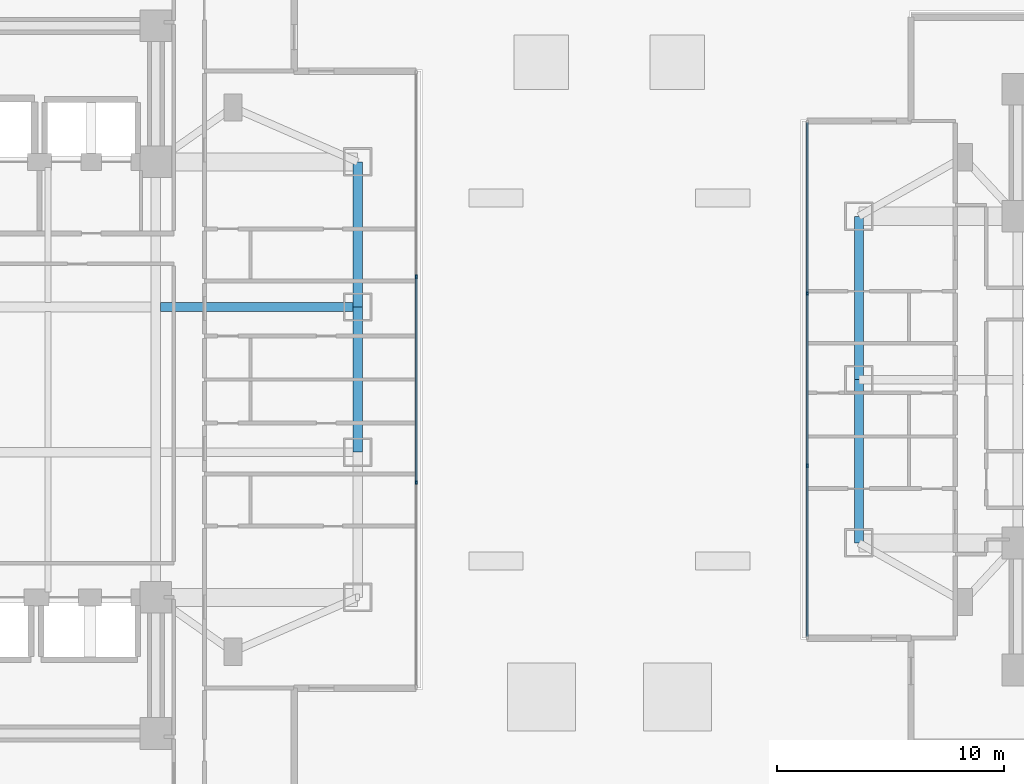
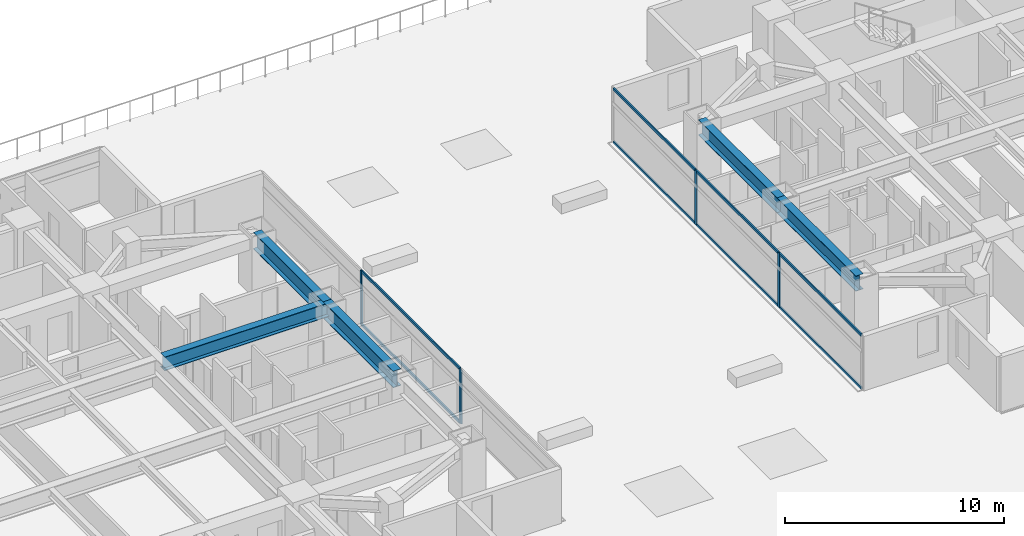
# One storey, part 5 of 26: 12 members, 5 beams, 2 elements without a shape of their own.
"""IFC4 building model written with IfcOpenShell, lengths in metres."""

from ifc_helpers import new_model, si_unit, direction, frame, origin, origin_2d, place, context, subcontext, project, spatial, rectangle, i_section, extrude, material, material_profile, profile_set, type_object, element, aggregate, save


model = new_model("IFC4")

# Units and contexts
model_context = context("Model", 3, precision=1e-05, world=origin(), true_north=direction((0.0, 1.0)))
body_context = subcontext(model_context, "Body", "Model", "MODEL_VIEW")
ifc_project = project(units=[si_unit("LENGTHUNIT", "METRE"), si_unit("AREAUNIT", "SQUARE_METRE"), si_unit("VOLUMEUNIT", "CUBIC_METRE"), si_unit("PLANEANGLEUNIT", "RADIAN"), si_unit("MASSUNIT", "GRAM", prefix="KILO")], contexts=[model_context])

# Site, building, storey
site_placement = place(None, origin())
site = spatial("IfcSite", under=ifc_project, at=site_placement, CompositionType="ELEMENT")
building_placement = place(site_placement, origin())
building = spatial("IfcBuilding", under=site, at=building_placement, Name="Mirazonda Arch Towers", CompositionType="ELEMENT")
storey_placement = place(building_placement, frame((0.0, 0.0, 22.39990234375)))
storey = spatial("IfcBuildingStorey", under=building, at=storey_placement, Name="L05", CompositionType="ELEMENT", Elevation=22.39990234375)

# Beams
ifc_material_1 = material(Name="Steel ASTM A992 Grade 50", Category="steel")
ifc_material_profile_1 = material_profile(ifc_material_1, i_section(OverallWidth=0.39990234375, OverallDepth=0.85595703125, WebThickness=0.018310546875, FlangeThickness=0.029296875, at=origin_2d()), Name="W33X201")
ifc_profile_set_1 = profile_set([ifc_material_profile_1], Name="Steel ASTM A992 Grade 50")
beam_type_1 = type_object("IfcBeamType", Name="BM-EXT-W33X201", PredefinedType="USERDEFINED", material=ifc_profile_set_1)
for number, where, z_axis, x_axis, name in (
    (1, (61.0, 20.800048828125, 2.632080078125), (0.0, 1.0, 0.0), (-1.0, 0.0, 0.0), "L05 Floor Beam BM-T2-L05-NS-W-20"),
    (2, (61.0, 28.0, 2.632080078125), (0.0, 1.0, 0.0), (-1.0, 0.0, 0.0), "L05 Floor Beam BM-T2-L05-NS-W-28"),
):
    element("IfcBeam", number, at=place(storey_placement, frame(where, z_axis=z_axis, x_axis=x_axis)), inside=storey, type_object=beam_type_1, Name=name, ObjectType="GIRDER", PredefinedType="USERDEFINED", context=body_context, shape_type="SweptSolid", body=[
        extrude(i_section(OverallWidth=0.39990234375, OverallDepth=0.85595703125, WebThickness=0.018310546875, FlangeThickness=0.029296875, at=origin_2d()), origin(), (0.0, 0.0, 1.0), 7.199951171875),
    ])
ifc_material_profile_2 = material_profile(ifc_material_1, i_section(OverallWidth=0.41796875, OverallDepth=0.927001953125, WebThickness=0.019287109375, FlangeThickness=0.031982421875, at=origin_2d()), Name="W36X231")
ifc_profile_set_2 = profile_set([ifc_material_profile_2], Name="Steel ASTM A992 Grade 50")
beam_type_2 = type_object("IfcBeamType", Name="BM-EXT-W36X231", PredefinedType="USERDEFINED", material=ifc_profile_set_2)
beam_1_placement = place(storey_placement, frame((38.89990234375, 24.800048828125, 2.5966796875), z_axis=(0.0, 1.0, 0.0), x_axis=(-1.0, 0.0, 0.0)))
element("IfcBeam", 3, at=beam_1_placement, inside=storey, type_object=beam_type_2, Name="L05 Floor Beam BM-T1-L05-NS-E-24", ObjectType="GIRDER", PredefinedType="USERDEFINED", context=body_context, shape_type="SweptSolid", body=[
    extrude(i_section(OverallWidth=0.41796875, OverallDepth=0.927001953125, WebThickness=0.019287109375, FlangeThickness=0.031982421875, at=origin_2d()), origin(), (0.0, 0.0, 1.0), 6.39990234375),
])
beam_2_placement = place(storey_placement, frame((38.89990234375, 31.199951171875, 2.5966796875), z_axis=(0.0, 1.0, 0.0), x_axis=(-1.0, 0.0, 0.0)))
element("IfcBeam", 4, at=beam_2_placement, inside=storey, type_object=beam_type_2, Name="L05 Floor Beam BM-T1-L05-NS-E-31", ObjectType="GIRDER", PredefinedType="USERDEFINED", context=body_context, shape_type="SweptSolid", body=[
    extrude(i_section(OverallWidth=0.41796875, OverallDepth=0.927001953125, WebThickness=0.019287109375, FlangeThickness=0.031982421875, at=origin_2d()), origin(), (0.0, 0.0, 1.0), 6.400146484375),
])
ifc_material_profile_3 = material_profile(ifc_material_1, i_section(OverallWidth=0.381103515625, OverallDepth=0.77294921875, WebThickness=0.0166015625, FlangeThickness=0.027099609375, at=origin_2d()), Name="W30X173")
ifc_profile_set_3 = profile_set([ifc_material_profile_3], Name="Steel ASTM A992 Grade 50")
beam_type_3 = type_object("IfcBeamType", Name="BM-INT-W30X173", PredefinedType="USERDEFINED", material=ifc_profile_set_3)
beam_3_placement = place(storey_placement, frame((30.21142578125, 31.199951171875, 2.673583984375), z_axis=(1.0, 0.0, 0.0), x_axis=(0.0, 1.0, 0.0)))
element("IfcBeam", 5, at=beam_3_placement, inside=storey, type_object=beam_type_3, Name="L05 Floor Beam BM-T1-L05-GE3", ObjectType="GIRDER", PredefinedType="USERDEFINED", context=body_context, shape_type="SweptSolid", body=[
    extrude(i_section(OverallWidth=0.381103515625, OverallDepth=0.77294921875, WebThickness=0.0166015625, FlangeThickness=0.027099609375, at=origin_2d()), origin(), (0.0, 0.0, 1.0), 8.6884765625),
])

# Curtain wall, members
ifc_material_2 = material(Name="Anodised Aluminium and Low-E Glass", Category="aluminium")
curtain_wall_type = type_object("IfcCurtainWallType", Name="CW-HTL-UNIT", PredefinedType="NOTDEFINED", material=ifc_material_2)
curtain_wall_1_placement = place(storey_placement, origin())
curtain_wall_1 = element("IfcCurtainWall", 6, at=curtain_wall_1_placement, inside=storey, type_object=curtain_wall_type, Name="L05 T1 E Facade CW-L05-T1-E", PredefinedType="NOTDEFINED")
ifc_material_3 = material(Name="Anodised Aluminium Alloy", Category="aluminium")
ifc_material_profile_4 = material_profile(ifc_material_3, rectangle(XDim=0.074951171875, YDim=0.1650390625, at=origin_2d()), Name="ALU-MULL-75x165")
ifc_profile_set_4 = profile_set([ifc_material_profile_4], Name="Anodised Aluminium Alloy")
member_type_1 = type_object("IfcMemberType", Name="MULL-CW-HTL-UNIT", PredefinedType="MULLION", material=ifc_profile_set_4)
member_1_placement = place(storey_placement, frame((41.47998046875, 23.466552734375, 0.0), z_axis=(0.0, 0.0, 1.0), x_axis=(-1.0, 0.0, 0.0)))
member_1 = element("IfcMember", 7, at=member_1_placement, type_object=member_type_1, Name="CW-112 mullion 2", PredefinedType="MULLION", context=body_context, shape_type="SweptSolid", body=[
    extrude(rectangle(XDim=0.074951171875, YDim=0.1650390625, at=origin_2d()), origin(), (0.0, 0.0, 1.0), 3.0400390625),
])
member_2_placement = place(storey_placement, frame((41.47998046875, 32.533447265625, 0.0), z_axis=(0.0, 0.0, 1.0), x_axis=(-1.0, 0.0, 0.0)))
member_2 = element("IfcMember", 8, at=member_2_placement, type_object=member_type_1, Name="CW-112 mullion 3", PredefinedType="MULLION", context=body_context, shape_type="SweptSolid", body=[
    extrude(rectangle(XDim=0.074951171875, YDim=0.1650390625, at=origin_2d()), origin(), (0.0, 0.0, 1.0), 3.0400390625),
])

curtain_wall_2_placement = place(storey_placement, origin())
curtain_wall_2 = element("IfcCurtainWall", 9, at=curtain_wall_2_placement, inside=storey, type_object=curtain_wall_type, Name="L05 T2 W Facade CW-L05-T2-W", PredefinedType="NOTDEFINED")
member_3_placement = place(storey_placement, frame((58.719970703125, 31.800048828125, 0.0), z_axis=(0.0, 0.0, 1.0), x_axis=(1.0, 0.0, 0.0)))
member_3 = element("IfcMember", 10, at=member_3_placement, type_object=member_type_1, Name="CW-112 mullion 2", PredefinedType="MULLION", context=body_context, shape_type="SweptSolid", body=[
    extrude(rectangle(XDim=0.074951171875, YDim=0.1650390625, at=origin_2d()), origin(), (0.0, 0.0, 1.0), 3.0400390625),
])
member_4_placement = place(storey_placement, frame((58.719970703125, 24.199951171875, 0.0), z_axis=(0.0, 0.0, 1.0), x_axis=(1.0, 0.0, 0.0)))
member_4 = element("IfcMember", 11, at=member_4_placement, type_object=member_type_1, Name="CW-112 mullion 3", PredefinedType="MULLION", context=body_context, shape_type="SweptSolid", body=[
    extrude(rectangle(XDim=0.074951171875, YDim=0.1650390625, at=origin_2d()), origin(), (0.0, 0.0, 1.0), 3.0400390625),
])

# Member
ifc_material_profile_5 = material_profile(ifc_material_3, rectangle(XDim=0.074951171875, YDim=0.14501953125, at=origin_2d()), Name="ALU-TRAN-75x145")
ifc_profile_set_5 = profile_set([ifc_material_profile_5], Name="Anodised Aluminium Alloy")
member_type_2 = type_object("IfcMemberType", Name="TRAN-CW-HTL-UNIT", PredefinedType="USERDEFINED", material=ifc_profile_set_5)
member_5_placement = place(storey_placement, frame((41.47998046875, 23.504150390625, 0.03759765625), z_axis=(0.0, 1.0, 0.0), x_axis=(-1.0, 0.0, 0.0)))
member_5 = element("IfcMember", 12, at=member_5_placement, type_object=member_type_2, Name="CW-112 transom 2.1", ObjectType="TRANSOM", PredefinedType="USERDEFINED", context=body_context, shape_type="SweptSolid", body=[
    extrude(rectangle(XDim=0.074951171875, YDim=0.14501953125, at=origin_2d()), origin(), (0.0, 0.0, 1.0), 8.99169921875),
])

member_6_placement = place(storey_placement, frame((41.47998046875, 23.504150390625, 3.002685546875), z_axis=(0.0, 1.0, 0.0), x_axis=(-1.0, 0.0, 0.0)))
member_6 = element("IfcMember", 13, at=member_6_placement, type_object=member_type_2, Name="CW-112 transom 2.2", ObjectType="TRANSOM", PredefinedType="USERDEFINED", context=body_context, shape_type="SweptSolid", body=[
    extrude(rectangle(XDim=0.074951171875, YDim=0.14501953125, at=origin_2d()), origin(), (0.0, 0.0, 1.0), 8.99169921875),
])

aggregate(curtain_wall_1, [member_1, member_2, member_5, member_6])

member_7_placement = place(storey_placement, frame((58.719970703125, 39.324951171875, 0.03759765625), z_axis=(0.0, -1.0, 0.0), x_axis=(1.0, 0.0, 0.0)))
member_7 = element("IfcMember", 14, at=member_7_placement, type_object=member_type_2, Name="CW-112 transom 1.1", ObjectType="TRANSOM", PredefinedType="USERDEFINED", context=body_context, shape_type="SweptSolid", body=[
    extrude(rectangle(XDim=0.074951171875, YDim=0.14501953125, at=origin_2d()), origin(), (0.0, 0.0, 1.0), 7.487548828125),
])

member_8_placement = place(storey_placement, frame((58.719970703125, 39.324951171875, 3.002685546875), z_axis=(0.0, -1.0, 0.0), x_axis=(1.0, 0.0, 0.0)))
member_8 = element("IfcMember", 15, at=member_8_placement, type_object=member_type_2, Name="CW-112 transom 1.2", ObjectType="TRANSOM", PredefinedType="USERDEFINED", context=body_context, shape_type="SweptSolid", body=[
    extrude(rectangle(XDim=0.074951171875, YDim=0.14501953125, at=origin_2d()), origin(), (0.0, 0.0, 1.0), 7.487548828125),
])

member_9_placement = place(storey_placement, frame((58.719970703125, 31.762451171875, 0.03759765625), z_axis=(0.0, -1.0, 0.0), x_axis=(1.0, 0.0, 0.0)))
member_9 = element("IfcMember", 16, at=member_9_placement, type_object=member_type_2, Name="CW-112 transom 2.1", ObjectType="TRANSOM", PredefinedType="USERDEFINED", context=body_context, shape_type="SweptSolid", body=[
    extrude(rectangle(XDim=0.074951171875, YDim=0.14501953125, at=origin_2d()), origin(), (0.0, 0.0, 1.0), 7.52490234375),
])

member_10_placement = place(storey_placement, frame((58.719970703125, 31.762451171875, 3.002685546875), z_axis=(0.0, -1.0, 0.0), x_axis=(1.0, 0.0, 0.0)))
member_10 = element("IfcMember", 17, at=member_10_placement, type_object=member_type_2, Name="CW-112 transom 2.2", ObjectType="TRANSOM", PredefinedType="USERDEFINED", context=body_context, shape_type="SweptSolid", body=[
    extrude(rectangle(XDim=0.074951171875, YDim=0.14501953125, at=origin_2d()), origin(), (0.0, 0.0, 1.0), 7.52490234375),
])

member_11_placement = place(storey_placement, frame((58.719970703125, 24.16259765625, 0.03759765625), z_axis=(0.0, -1.0, 0.0), x_axis=(1.0, 0.0, 0.0)))
member_11 = element("IfcMember", 18, at=member_11_placement, type_object=member_type_2, Name="CW-112 transom 3.1", ObjectType="TRANSOM", PredefinedType="USERDEFINED", context=body_context, shape_type="SweptSolid", body=[
    extrude(rectangle(XDim=0.074951171875, YDim=0.14501953125, at=origin_2d()), origin(), (0.0, 0.0, 1.0), 7.487548828125),
])

member_12_placement = place(storey_placement, frame((58.719970703125, 24.16259765625, 3.002685546875), z_axis=(0.0, -1.0, 0.0), x_axis=(1.0, 0.0, 0.0)))
member_12 = element("IfcMember", 19, at=member_12_placement, type_object=member_type_2, Name="CW-112 transom 3.2", ObjectType="TRANSOM", PredefinedType="USERDEFINED", context=body_context, shape_type="SweptSolid", body=[
    extrude(rectangle(XDim=0.074951171875, YDim=0.14501953125, at=origin_2d()), origin(), (0.0, 0.0, 1.0), 7.487548828125),
])

aggregate(curtain_wall_2, [member_3, member_4, member_7, member_8, member_9, member_10, member_11, member_12])

save(model, "model.ifc")
